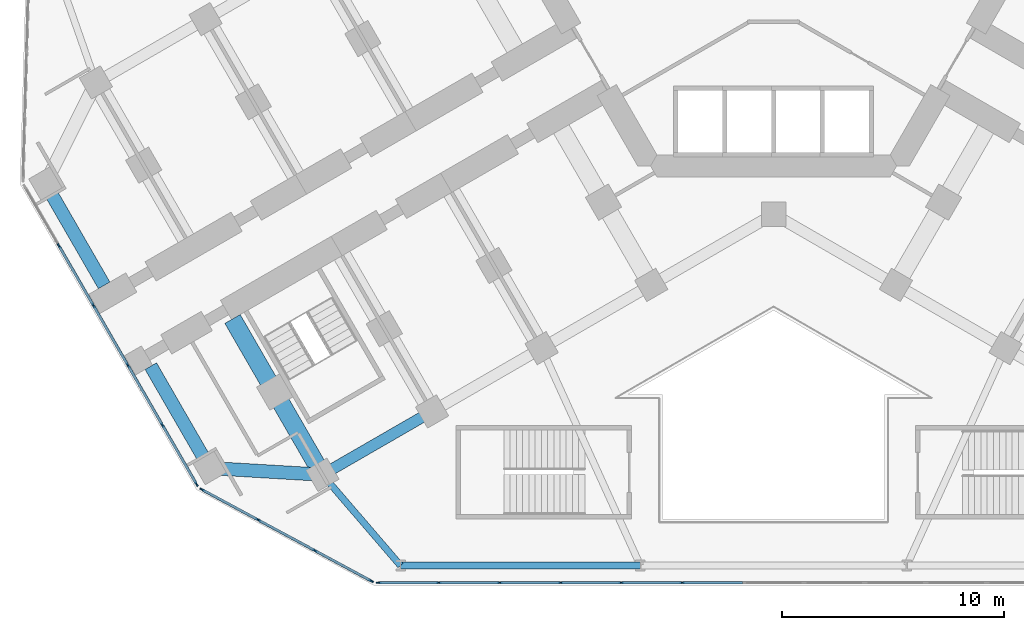
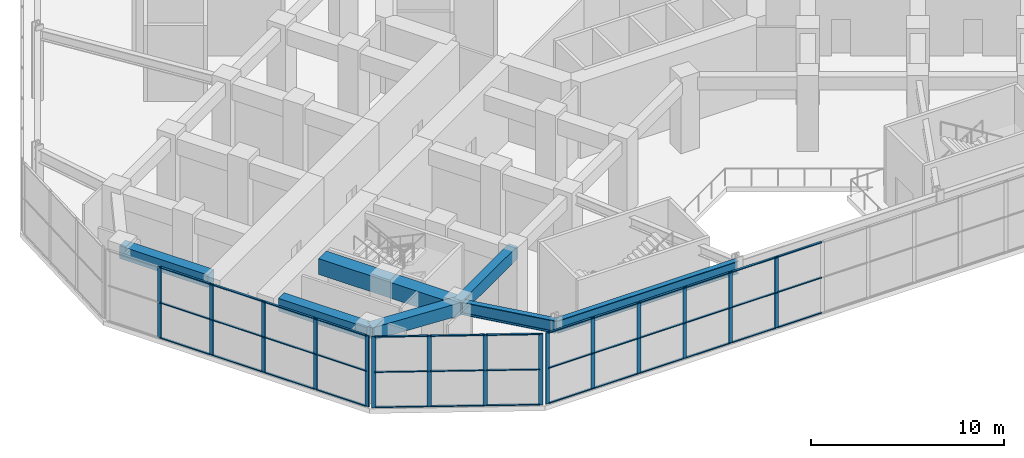
# One storey, part 2 of 21: 54 members, 7 beams, 3 elements without a shape of their own.
"""IFC4 building model written with IfcOpenShell, lengths in metres."""

from ifc_helpers import new_model, si_unit, direction, frame, origin, origin_2d, place, context, subcontext, project, spatial, rectangle, i_section, extrude, material, material_profile, profile_set, type_object, element, aggregate, save


model = new_model("IFC4")

# Units and contexts
model_context = context("Model", 3, precision=1e-05, world=origin(), true_north=direction((0.0, 1.0)))
body_context = subcontext(model_context, "Body", "Model", "MODEL_VIEW")
ifc_project = project(units=[si_unit("LENGTHUNIT", "METRE"), si_unit("AREAUNIT", "SQUARE_METRE"), si_unit("VOLUMEUNIT", "CUBIC_METRE"), si_unit("PLANEANGLEUNIT", "RADIAN"), si_unit("MASSUNIT", "GRAM", prefix="KILO")], contexts=[model_context])

# Site, building, storey
site_placement = place(None, origin())
site = spatial("IfcSite", under=ifc_project, at=site_placement, CompositionType="ELEMENT")
building_placement = place(site_placement, origin())
building = spatial("IfcBuilding", under=site, at=building_placement, Name="Kosmar Iwan School Tower", CompositionType="ELEMENT")
storey_placement = place(building_placement, frame((0.0, 0.0, 6.0)))
storey = spatial("IfcBuildingStorey", under=building, at=storey_placement, Name="L01", CompositionType="ELEMENT", Elevation=6.0)

# Beams
ifc_material_1 = material(Name="Steel S355", Category="steel")
ifc_material_profile_1 = material_profile(ifc_material_1, i_section(OverallWidth=0.300048828125, OverallDepth=0.800048828125, WebThickness=0.017578125, FlangeThickness=0.032958984375, FilletRadius=0.030029296875, at=origin_2d()), Name="HE 800 B")
ifc_profile_set_1 = profile_set([ifc_material_profile_1], Name="Steel S355")
beam_type_1 = type_object("IfcBeamType", Name="Infill edge beam HE 800 B", PredefinedType="BEAM", material=ifc_profile_set_1)
beam_1_placement = place(storey_placement, frame((-6.0, -27.60009765625, 4.10009765625), z_axis=(-1.0, 0.0, 0.0), x_axis=(0.0, -1.0, 0.0)))
element("IfcBeam", 1, at=beam_1_placement, inside=storey, type_object=beam_type_1, Name="Infill edge beam BC4", PredefinedType="BEAM", context=body_context, shape_type="SweptSolid", body=[
    extrude(i_section(OverallWidth=0.300048828125, OverallDepth=0.800048828125, WebThickness=0.017578125, FlangeThickness=0.032958984375, FilletRadius=0.030029296875, at=origin_2d()), origin(), (0.0, 0.0, 1.0), 10.800048828125),
])
beam_2_placement = place(storey_placement, frame((-16.800048828125, -27.60009765625, 4.10009765625), z_axis=(-0.651941989341, 0.758268845816, 0.0), x_axis=(-0.758268845816, -0.651941989341, 0.0)))
element("IfcBeam", 2, at=beam_2_placement, inside=storey, type_object=beam_type_1, Name="Infill edge beam BC5", PredefinedType="BEAM", context=body_context, shape_type="SweptSolid", body=[
    extrude(i_section(OverallWidth=0.300048828125, OverallDepth=0.800048828125, WebThickness=0.017578125, FlangeThickness=0.032958984375, FilletRadius=0.030029296875, at=origin_2d()), origin(), (0.0, 0.0, 1.0), 5.39599609375),
])

# Curtain wall, members
ifc_material_2 = material(Name="Dark glass in black aluminium frame", Category="aluminium")
curtain_wall_type_1 = type_object("IfcCurtainWallType", Name="Podium curtain wall", PredefinedType="USERDEFINED", material=ifc_material_2)
curtain_wall_1_placement = place(storey_placement, origin())
curtain_wall_1 = element("IfcCurtainWall", 3, at=curtain_wall_1_placement, inside=storey, type_object=curtain_wall_type_1, Name="Curtain wall L01-F00", ObjectType="STICK CURTAIN WALL", PredefinedType="USERDEFINED")
ifc_material_3 = material(Name="Black anodised aluminium", Category="aluminium")
ifc_material_profile_2 = material_profile(ifc_material_3, rectangle(XDim=0.06494140625, YDim=0.219970703125, at=origin_2d()), Name="MULLION 65x220")
ifc_profile_set_2 = profile_set([ifc_material_profile_2], Name="Black anodised aluminium")
member_type_1 = type_object("IfcMemberType", Name="Podium mullion 65x220", PredefinedType="MULLION", material=ifc_profile_set_2)
member_1_placement = place(storey_placement, frame((-17.785888671875, -28.375, 0.0), z_axis=(0.0, 0.0, 1.0), x_axis=(0.0, 1.0, 0.0)))
member_1 = element("IfcMember", 4, at=member_1_placement, type_object=member_type_1, Name="CW3 mullion 1", PredefinedType="MULLION", context=body_context, shape_type="SweptSolid", body=[
    extrude(rectangle(XDim=0.06494140625, YDim=0.219970703125, at=origin_2d()), origin(), (0.0, 0.0, 1.0), 4.5),
])
member_2_placement = place(storey_placement, frame((-15.0771484375, -28.375, 0.0), z_axis=(0.0, 0.0, 1.0), x_axis=(0.0, 1.0, 0.0)))
member_2 = element("IfcMember", 5, at=member_2_placement, type_object=member_type_1, Name="CW3 mullion 2", PredefinedType="MULLION", context=body_context, shape_type="SweptSolid", body=[
    extrude(rectangle(XDim=0.06494140625, YDim=0.219970703125, at=origin_2d()), origin(), (0.0, 0.0, 1.0), 4.5),
])
member_3_placement = place(storey_placement, frame((-12.3359375, -28.375, 0.0), z_axis=(0.0, 0.0, 1.0), x_axis=(0.0, 1.0, 0.0)))
member_3 = element("IfcMember", 6, at=member_3_placement, type_object=member_type_1, Name="CW3 mullion 3", PredefinedType="MULLION", context=body_context, shape_type="SweptSolid", body=[
    extrude(rectangle(XDim=0.06494140625, YDim=0.219970703125, at=origin_2d()), origin(), (0.0, 0.0, 1.0), 4.5),
])
member_4_placement = place(storey_placement, frame((-9.594482421875, -28.375, 0.0), z_axis=(0.0, 0.0, 1.0), x_axis=(0.0, 1.0, 0.0)))
member_4 = element("IfcMember", 7, at=member_4_placement, type_object=member_type_1, Name="CW3 mullion 4", PredefinedType="MULLION", context=body_context, shape_type="SweptSolid", body=[
    extrude(rectangle(XDim=0.06494140625, YDim=0.219970703125, at=origin_2d()), origin(), (0.0, 0.0, 1.0), 4.5),
])
member_5_placement = place(storey_placement, frame((-6.853271484375, -28.375, 0.0), z_axis=(0.0, 0.0, 1.0), x_axis=(0.0, 1.0, 0.0)))
member_5 = element("IfcMember", 8, at=member_5_placement, type_object=member_type_1, Name="CW3 mullion 5", PredefinedType="MULLION", context=body_context, shape_type="SweptSolid", body=[
    extrude(rectangle(XDim=0.06494140625, YDim=0.219970703125, at=origin_2d()), origin(), (0.0, 0.0, 1.0), 4.5),
])
member_6_placement = place(storey_placement, frame((-4.112060546875, -28.375, 0.0), z_axis=(0.0, 0.0, 1.0), x_axis=(0.0, 1.0, 0.0)))
member_6 = element("IfcMember", 9, at=member_6_placement, type_object=member_type_1, Name="CW3 mullion 6", PredefinedType="MULLION", context=body_context, shape_type="SweptSolid", body=[
    extrude(rectangle(XDim=0.06494140625, YDim=0.219970703125, at=origin_2d()), origin(), (0.0, 0.0, 1.0), 4.5),
])

ifc_material_4 = material(Name="Dark glass in black aluminium frame", Category="aluminium")
curtain_wall_type_2 = type_object("IfcCurtainWallType", Name="Tower curtain wall dark glass", PredefinedType="USERDEFINED", material=ifc_material_4)
curtain_wall_2_placement = place(storey_placement, origin())
curtain_wall_2 = element("IfcCurtainWall", 10, at=curtain_wall_2_placement, inside=storey, type_object=curtain_wall_type_2, Name="Curtain wall L01-F10", ObjectType="UNITISED CURTAIN WALL", PredefinedType="USERDEFINED")
member_7_placement = place(storey_placement, frame((-32.185546875, -13.202880859375, 0.0), z_axis=(0.0, 0.0, 1.0), x_axis=(0.866025395669, 0.500000014057, 0.0)))
member_7 = element("IfcMember", 11, at=member_7_placement, type_object=member_type_1, Name="CW1 mullion 2", PredefinedType="MULLION", context=body_context, shape_type="SweptSolid", body=[
    extrude(rectangle(XDim=0.06494140625, YDim=0.219970703125, at=origin_2d()), origin(), (0.0, 0.0, 1.0), 4.5),
])
member_8_placement = place(storey_placement, frame((-30.632568359375, -15.892578125, 0.0), z_axis=(0.0, 0.0, 1.0), x_axis=(0.866025395669, 0.500000014057, 0.0)))
member_8 = element("IfcMember", 12, at=member_8_placement, type_object=member_type_1, Name="CW1 mullion 3", PredefinedType="MULLION", context=body_context, shape_type="SweptSolid", body=[
    extrude(rectangle(XDim=0.06494140625, YDim=0.219970703125, at=origin_2d()), origin(), (0.0, 0.0, 1.0), 4.5),
])
member_9_placement = place(storey_placement, frame((-29.079833984375, -18.582275390625, 0.0), z_axis=(0.0, 0.0, 1.0), x_axis=(0.866025395669, 0.500000014057, 0.0)))
member_9 = element("IfcMember", 13, at=member_9_placement, type_object=member_type_1, Name="CW1 mullion 4", PredefinedType="MULLION", context=body_context, shape_type="SweptSolid", body=[
    extrude(rectangle(XDim=0.06494140625, YDim=0.219970703125, at=origin_2d()), origin(), (0.0, 0.0, 1.0), 4.5),
])
member_10_placement = place(storey_placement, frame((-27.52685546875, -21.272216796875, 0.0), z_axis=(0.0, 0.0, 1.0), x_axis=(0.866025395669, 0.500000014057, 0.0)))
member_10 = element("IfcMember", 14, at=member_10_placement, type_object=member_type_1, Name="CW1 mullion 5", PredefinedType="MULLION", context=body_context, shape_type="SweptSolid", body=[
    extrude(rectangle(XDim=0.06494140625, YDim=0.219970703125, at=origin_2d()), origin(), (0.0, 0.0, 1.0), 4.5),
])
member_11_placement = place(storey_placement, frame((-25.990234375, -23.93359375, 0.0), z_axis=(0.0, 0.0, 1.0), x_axis=(0.866025395669, 0.500000014057, 0.0)))
member_11 = element("IfcMember", 15, at=member_11_placement, type_object=member_type_1, Name="CW1 mullion 6", PredefinedType="MULLION", context=body_context, shape_type="SweptSolid", body=[
    extrude(rectangle(XDim=0.06494140625, YDim=0.219970703125, at=origin_2d()), origin(), (0.0, 0.0, 1.0), 4.5),
])

curtain_wall_3_placement = place(storey_placement, origin())
curtain_wall_3 = element("IfcCurtainWall", 16, at=curtain_wall_3_placement, inside=storey, type_object=curtain_wall_type_1, Name="Curtain wall L01-F11", ObjectType="STICK CURTAIN WALL", PredefinedType="USERDEFINED")
member_12_placement = place(storey_placement, frame((-25.73828125, -24.178466796875, 0.0), z_axis=(0.0, 0.0, 1.0), x_axis=(0.475215410051, 0.879869486941, 0.0)))
member_12 = element("IfcMember", 17, at=member_12_placement, type_object=member_type_1, Name="CW3 mullion 1", PredefinedType="MULLION", context=body_context, shape_type="SweptSolid", body=[
    extrude(rectangle(XDim=0.06494140625, YDim=0.219970703125, at=origin_2d()), origin(), (0.0, 0.0, 1.0), 4.5),
])
member_13_placement = place(storey_placement, frame((-23.21142578125, -25.543212890625, 0.0), z_axis=(0.0, 0.0, 1.0), x_axis=(0.475215410051, 0.879869486941, 0.0)))
member_13 = element("IfcMember", 18, at=member_13_placement, type_object=member_type_1, Name="CW3 mullion 2", PredefinedType="MULLION", context=body_context, shape_type="SweptSolid", body=[
    extrude(rectangle(XDim=0.06494140625, YDim=0.219970703125, at=origin_2d()), origin(), (0.0, 0.0, 1.0), 4.5),
])
member_14_placement = place(storey_placement, frame((-20.656005859375, -26.923583984375, 0.0), z_axis=(0.0, 0.0, 1.0), x_axis=(0.475215410051, 0.879869486941, 0.0)))
member_14 = element("IfcMember", 19, at=member_14_placement, type_object=member_type_1, Name="CW3 mullion 3", PredefinedType="MULLION", context=body_context, shape_type="SweptSolid", body=[
    extrude(rectangle(XDim=0.06494140625, YDim=0.219970703125, at=origin_2d()), origin(), (0.0, 0.0, 1.0), 4.5),
])
member_15_placement = place(storey_placement, frame((-18.12890625, -28.288330078125, 0.0), z_axis=(0.0, 0.0, 1.0), x_axis=(0.475215410051, 0.879869486941, 0.0)))
member_15 = element("IfcMember", 20, at=member_15_placement, type_object=member_type_1, Name="CW3 mullion 4", PredefinedType="MULLION", context=body_context, shape_type="SweptSolid", body=[
    extrude(rectangle(XDim=0.06494140625, YDim=0.219970703125, at=origin_2d()), origin(), (0.0, 0.0, 1.0), 4.5),
])

# Beams
ifc_material_5 = material(Name="Concrete C50/60", Category="concrete")
ifc_material_profile_3 = material_profile(ifc_material_5, rectangle(XDim=0.5, YDim=0.800048828125, at=origin_2d()), Name="RC 500x800")
ifc_profile_set_3 = profile_set([ifc_material_profile_3], Name="Concrete C50/60")
beam_type_2 = type_object("IfcBeamType", Name="RC edge beam 500x800", PredefinedType="BEAM", material=ifc_profile_set_3)
beam_3_placement = place(storey_placement, frame((-15.381591796875, -20.658447265625, 4.10009765625), z_axis=(-0.866015111908, -0.50001782563, 0.0), x_axis=(0.50001782563, -0.866015111908, 0.0)))
element("IfcBeam", 21, at=beam_3_placement, inside=storey, type_object=beam_type_2, Name="Edge beam BL4", PredefinedType="BEAM", context=body_context, shape_type="SweptSolid", body=[
    extrude(rectangle(XDim=0.5, YDim=0.800048828125, at=origin_2d()), origin(), (0.0, 0.0, 1.0), 5.699951171875),
])
ifc_material_6 = material(Name="Concrete C50/60", Category="concrete")
ifc_material_profile_4 = material_profile(ifc_material_6, rectangle(XDim=0.60009765625, YDim=0.800048828125, at=origin_2d()), Name="RC 600x800")
ifc_profile_set_4 = profile_set([ifc_material_profile_4], Name="Concrete C50/60")
beam_type_3 = type_object("IfcBeamType", Name="RC tip beam 600x800", PredefinedType="BEAM", material=ifc_profile_set_4)
beam_4_placement = place(storey_placement, frame((-20.31787109375, -23.508544921875, 4.10009765625), z_axis=(-0.998260616478, 0.058955420358, 0.0), x_axis=(-0.058955420358, -0.998260616478, 0.0)))
element("IfcBeam", 22, at=beam_4_placement, inside=storey, type_object=beam_type_3, Name="Tip beam BL", PredefinedType="BEAM", context=body_context, shape_type="SweptSolid", body=[
    extrude(rectangle(XDim=0.60009765625, YDim=0.800048828125, at=origin_2d()), origin(), (0.0, 0.0, 1.0), 5.08935546875),
])
beam_5_placement = place(storey_placement, frame((-25.3984375, -23.20849609375, 4.10009765625), z_axis=(-0.499993606316, 0.866029095148, 0.0), x_axis=(-0.866029095148, -0.499993606316, 0.0)))
element("IfcBeam", 23, at=beam_5_placement, inside=storey, type_object=beam_type_3, Name="Tip beam BL to corridor wall", PredefinedType="BEAM", context=body_context, shape_type="SweptSolid", body=[
    extrude(rectangle(XDim=0.60009765625, YDim=0.800048828125, at=origin_2d()), origin(), (0.0, 0.0, 1.0), 5.2998046875),
])
beam_6_placement = place(storey_placement, frame((-32.79833984375, -10.391357421875, 4.10009765625), z_axis=(0.499973660256, -0.866040610509, 0.0), x_axis=(0.866040610509, 0.499973660256, 0.0)))
element("IfcBeam", 24, at=beam_6_placement, inside=storey, type_object=beam_type_3, Name="Tip beam BR to corridor wall", PredefinedType="BEAM", context=body_context, shape_type="SweptSolid", body=[
    extrude(rectangle(XDim=0.60009765625, YDim=0.800048828125, at=origin_2d()), origin(), (0.0, 0.0, 1.0), 5.300048828125),
])
ifc_material_7 = material(Name="Concrete C50/60", Category="concrete")
ifc_material_profile_5 = material_profile(ifc_material_7, rectangle(XDim=0.800048828125, YDim=1.0, at=origin_2d()), Name="RC 800x1000")
ifc_profile_set_5 = profile_set([ifc_material_profile_5], Name="Concrete C50/60")
beam_type_4 = type_object("IfcBeamType", Name="RC transverse beam 800x1000", PredefinedType="BEAM", material=ifc_profile_set_5)
beam_7_placement = place(storey_placement, frame((-20.31787109375, -23.508544921875, 4.0), z_axis=(-0.499999880539, 0.866025472755, 0.0), x_axis=(-0.866025472755, -0.499999880539, 0.0)))
element("IfcBeam", 25, at=beam_7_placement, inside=storey, type_object=beam_type_4, Name="Transverse beam BL4", PredefinedType="BEAM", context=body_context, shape_type="SweptSolid", body=[
    extrude(rectangle(XDim=0.800048828125, YDim=1.0, at=origin_2d()), origin(), (0.0, 0.0, 1.0), 8.10009765625),
])

# Member
ifc_material_8 = material(Name="Black anodised aluminium", Category="aluminium")
ifc_material_profile_6 = material_profile(ifc_material_8, rectangle(XDim=0.1201171875, YDim=0.06005859375, at=origin_2d()), Name="TRANSOM 60x120")
ifc_profile_set_6 = profile_set([ifc_material_profile_6], Name="Black anodised aluminium")
member_type_2 = type_object("IfcMemberType", Name="Transom 60x120", PredefinedType="USERDEFINED", material=ifc_profile_set_6)
member_16_placement = place(storey_placement, frame((-17.75341796875, -28.375, 0.030029296875), z_axis=(1.0, 0.0, 0.0), x_axis=(0.0, 1.0, 0.0)))
member_16 = element("IfcMember", 26, at=member_16_placement, type_object=member_type_2, Name="CW3 transom 1.1", ObjectType="TRANSOM", PredefinedType="USERDEFINED", context=body_context, shape_type="SweptSolid", body=[
    extrude(rectangle(XDim=0.1201171875, YDim=0.06005859375, at=origin_2d()), origin(), (0.0, 0.0, 1.0), 2.643798828125),
])

member_17_placement = place(storey_placement, frame((-17.75341796875, -28.375, 2.25), z_axis=(1.0, 0.0, 0.0), x_axis=(0.0, 1.0, 0.0)))
member_17 = element("IfcMember", 27, at=member_17_placement, type_object=member_type_2, Name="CW3 transom 1.2", ObjectType="TRANSOM", PredefinedType="USERDEFINED", context=body_context, shape_type="SweptSolid", body=[
    extrude(rectangle(XDim=0.1201171875, YDim=0.06005859375, at=origin_2d()), origin(), (0.0, 0.0, 1.0), 2.643798828125),
])

member_18_placement = place(storey_placement, frame((-17.75341796875, -28.375, 4.469970703125), z_axis=(1.0, 0.0, 0.0), x_axis=(0.0, 1.0, 0.0)))
member_18 = element("IfcMember", 28, at=member_18_placement, type_object=member_type_2, Name="CW3 transom 1.3", ObjectType="TRANSOM", PredefinedType="USERDEFINED", context=body_context, shape_type="SweptSolid", body=[
    extrude(rectangle(XDim=0.1201171875, YDim=0.06005859375, at=origin_2d()), origin(), (0.0, 0.0, 1.0), 2.643798828125),
])

member_19_placement = place(storey_placement, frame((-15.044677734375, -28.375, 0.030029296875), z_axis=(1.0, 0.0, 0.0), x_axis=(0.0, 1.0, 0.0)))
member_19 = element("IfcMember", 29, at=member_19_placement, type_object=member_type_2, Name="CW3 transom 2.1", ObjectType="TRANSOM", PredefinedType="USERDEFINED", context=body_context, shape_type="SweptSolid", body=[
    extrude(rectangle(XDim=0.1201171875, YDim=0.06005859375, at=origin_2d()), origin(), (0.0, 0.0, 1.0), 2.67626953125),
])

member_20_placement = place(storey_placement, frame((-15.044677734375, -28.375, 2.25), z_axis=(1.0, 0.0, 0.0), x_axis=(0.0, 1.0, 0.0)))
member_20 = element("IfcMember", 30, at=member_20_placement, type_object=member_type_2, Name="CW3 transom 2.2", ObjectType="TRANSOM", PredefinedType="USERDEFINED", context=body_context, shape_type="SweptSolid", body=[
    extrude(rectangle(XDim=0.1201171875, YDim=0.06005859375, at=origin_2d()), origin(), (0.0, 0.0, 1.0), 2.67626953125),
])

member_21_placement = place(storey_placement, frame((-15.044677734375, -28.375, 4.469970703125), z_axis=(1.0, 0.0, 0.0), x_axis=(0.0, 1.0, 0.0)))
member_21 = element("IfcMember", 31, at=member_21_placement, type_object=member_type_2, Name="CW3 transom 2.3", ObjectType="TRANSOM", PredefinedType="USERDEFINED", context=body_context, shape_type="SweptSolid", body=[
    extrude(rectangle(XDim=0.1201171875, YDim=0.06005859375, at=origin_2d()), origin(), (0.0, 0.0, 1.0), 2.67626953125),
])

member_22_placement = place(storey_placement, frame((-12.30322265625, -28.375, 0.030029296875), z_axis=(1.0, 0.0, 0.0), x_axis=(0.0, 1.0, 0.0)))
member_22 = element("IfcMember", 32, at=member_22_placement, type_object=member_type_2, Name="CW3 transom 3.1", ObjectType="TRANSOM", PredefinedType="USERDEFINED", context=body_context, shape_type="SweptSolid", body=[
    extrude(rectangle(XDim=0.1201171875, YDim=0.06005859375, at=origin_2d()), origin(), (0.0, 0.0, 1.0), 2.67626953125),
])

member_23_placement = place(storey_placement, frame((-12.30322265625, -28.375, 2.25), z_axis=(1.0, 0.0, 0.0), x_axis=(0.0, 1.0, 0.0)))
member_23 = element("IfcMember", 33, at=member_23_placement, type_object=member_type_2, Name="CW3 transom 3.2", ObjectType="TRANSOM", PredefinedType="USERDEFINED", context=body_context, shape_type="SweptSolid", body=[
    extrude(rectangle(XDim=0.1201171875, YDim=0.06005859375, at=origin_2d()), origin(), (0.0, 0.0, 1.0), 2.67626953125),
])

member_24_placement = place(storey_placement, frame((-12.30322265625, -28.375, 4.469970703125), z_axis=(1.0, 0.0, 0.0), x_axis=(0.0, 1.0, 0.0)))
member_24 = element("IfcMember", 34, at=member_24_placement, type_object=member_type_2, Name="CW3 transom 3.3", ObjectType="TRANSOM", PredefinedType="USERDEFINED", context=body_context, shape_type="SweptSolid", body=[
    extrude(rectangle(XDim=0.1201171875, YDim=0.06005859375, at=origin_2d()), origin(), (0.0, 0.0, 1.0), 2.67626953125),
])

member_25_placement = place(storey_placement, frame((-9.56201171875, -28.375, 0.030029296875), z_axis=(1.0, 0.0, 0.0), x_axis=(0.0, 1.0, 0.0)))
member_25 = element("IfcMember", 35, at=member_25_placement, type_object=member_type_2, Name="CW3 transom 4.1", ObjectType="TRANSOM", PredefinedType="USERDEFINED", context=body_context, shape_type="SweptSolid", body=[
    extrude(rectangle(XDim=0.1201171875, YDim=0.06005859375, at=origin_2d()), origin(), (0.0, 0.0, 1.0), 2.67626953125),
])

member_26_placement = place(storey_placement, frame((-9.56201171875, -28.375, 2.25), z_axis=(1.0, 0.0, 0.0), x_axis=(0.0, 1.0, 0.0)))
member_26 = element("IfcMember", 36, at=member_26_placement, type_object=member_type_2, Name="CW3 transom 4.2", ObjectType="TRANSOM", PredefinedType="USERDEFINED", context=body_context, shape_type="SweptSolid", body=[
    extrude(rectangle(XDim=0.1201171875, YDim=0.06005859375, at=origin_2d()), origin(), (0.0, 0.0, 1.0), 2.67626953125),
])

member_27_placement = place(storey_placement, frame((-9.56201171875, -28.375, 4.469970703125), z_axis=(1.0, 0.0, 0.0), x_axis=(0.0, 1.0, 0.0)))
member_27 = element("IfcMember", 37, at=member_27_placement, type_object=member_type_2, Name="CW3 transom 4.3", ObjectType="TRANSOM", PredefinedType="USERDEFINED", context=body_context, shape_type="SweptSolid", body=[
    extrude(rectangle(XDim=0.1201171875, YDim=0.06005859375, at=origin_2d()), origin(), (0.0, 0.0, 1.0), 2.67626953125),
])

member_28_placement = place(storey_placement, frame((-6.82080078125, -28.375, 0.030029296875), z_axis=(1.0, 0.0, 0.0), x_axis=(0.0, 1.0, 0.0)))
member_28 = element("IfcMember", 38, at=member_28_placement, type_object=member_type_2, Name="CW3 transom 5.1", ObjectType="TRANSOM", PredefinedType="USERDEFINED", context=body_context, shape_type="SweptSolid", body=[
    extrude(rectangle(XDim=0.1201171875, YDim=0.06005859375, at=origin_2d()), origin(), (0.0, 0.0, 1.0), 2.67626953125),
])

member_29_placement = place(storey_placement, frame((-6.82080078125, -28.375, 2.25), z_axis=(1.0, 0.0, 0.0), x_axis=(0.0, 1.0, 0.0)))
member_29 = element("IfcMember", 39, at=member_29_placement, type_object=member_type_2, Name="CW3 transom 5.2", ObjectType="TRANSOM", PredefinedType="USERDEFINED", context=body_context, shape_type="SweptSolid", body=[
    extrude(rectangle(XDim=0.1201171875, YDim=0.06005859375, at=origin_2d()), origin(), (0.0, 0.0, 1.0), 2.67626953125),
])

member_30_placement = place(storey_placement, frame((-6.82080078125, -28.375, 4.469970703125), z_axis=(1.0, 0.0, 0.0), x_axis=(0.0, 1.0, 0.0)))
member_30 = element("IfcMember", 40, at=member_30_placement, type_object=member_type_2, Name="CW3 transom 5.3", ObjectType="TRANSOM", PredefinedType="USERDEFINED", context=body_context, shape_type="SweptSolid", body=[
    extrude(rectangle(XDim=0.1201171875, YDim=0.06005859375, at=origin_2d()), origin(), (0.0, 0.0, 1.0), 2.67626953125),
])

member_31_placement = place(storey_placement, frame((-4.079345703125, -28.375, 0.030029296875), z_axis=(1.0, 0.0, 0.0), x_axis=(0.0, 1.0, 0.0)))
member_31 = element("IfcMember", 41, at=member_31_placement, type_object=member_type_2, Name="CW3 transom 6.1", ObjectType="TRANSOM", PredefinedType="USERDEFINED", context=body_context, shape_type="SweptSolid", body=[
    extrude(rectangle(XDim=0.1201171875, YDim=0.06005859375, at=origin_2d()), origin(), (0.0, 0.0, 1.0), 2.67626953125),
])

member_32_placement = place(storey_placement, frame((-4.079345703125, -28.375, 2.25), z_axis=(1.0, 0.0, 0.0), x_axis=(0.0, 1.0, 0.0)))
member_32 = element("IfcMember", 42, at=member_32_placement, type_object=member_type_2, Name="CW3 transom 6.2", ObjectType="TRANSOM", PredefinedType="USERDEFINED", context=body_context, shape_type="SweptSolid", body=[
    extrude(rectangle(XDim=0.1201171875, YDim=0.06005859375, at=origin_2d()), origin(), (0.0, 0.0, 1.0), 2.67626953125),
])

member_33_placement = place(storey_placement, frame((-4.079345703125, -28.375, 4.469970703125), z_axis=(1.0, 0.0, 0.0), x_axis=(0.0, 1.0, 0.0)))
member_33 = element("IfcMember", 43, at=member_33_placement, type_object=member_type_2, Name="CW3 transom 6.3", ObjectType="TRANSOM", PredefinedType="USERDEFINED", context=body_context, shape_type="SweptSolid", body=[
    extrude(rectangle(XDim=0.1201171875, YDim=0.06005859375, at=origin_2d()), origin(), (0.0, 0.0, 1.0), 2.67626953125),
])

aggregate(curtain_wall_1, [member_1, member_2, member_3, member_4, member_5, member_6, member_16, member_17, member_18, member_19, member_20, member_21, member_22, member_23, member_24, member_25, member_26, member_27, member_28, member_29, member_30, member_31, member_32, member_33])

member_34_placement = place(storey_placement, frame((-32.16943359375, -13.23095703125, 0.030029296875), z_axis=(0.50000738486, -0.866021140091, 0.0), x_axis=(0.866021140091, 0.50000738486, 0.0)))
member_34 = element("IfcMember", 44, at=member_34_placement, type_object=member_type_2, Name="CW1 transom 2.1", ObjectType="TRANSOM", PredefinedType="USERDEFINED", context=body_context, shape_type="SweptSolid", body=[
    extrude(rectangle(XDim=0.1201171875, YDim=0.06005859375, at=origin_2d()), origin(), (0.0, 0.0, 1.0), 3.041015625),
])

member_35_placement = place(storey_placement, frame((-32.16943359375, -13.23095703125, 2.25), z_axis=(0.50000738486, -0.866021140091, 0.0), x_axis=(0.866021140091, 0.50000738486, 0.0)))
member_35 = element("IfcMember", 45, at=member_35_placement, type_object=member_type_2, Name="CW1 transom 2.2", ObjectType="TRANSOM", PredefinedType="USERDEFINED", context=body_context, shape_type="SweptSolid", body=[
    extrude(rectangle(XDim=0.1201171875, YDim=0.06005859375, at=origin_2d()), origin(), (0.0, 0.0, 1.0), 3.041015625),
])

member_36_placement = place(storey_placement, frame((-32.16943359375, -13.23095703125, 4.469970703125), z_axis=(0.50000738486, -0.866021140091, 0.0), x_axis=(0.866021140091, 0.50000738486, 0.0)))
member_36 = element("IfcMember", 46, at=member_36_placement, type_object=member_type_2, Name="CW1 transom 2.3", ObjectType="TRANSOM", PredefinedType="USERDEFINED", context=body_context, shape_type="SweptSolid", body=[
    extrude(rectangle(XDim=0.1201171875, YDim=0.06005859375, at=origin_2d()), origin(), (0.0, 0.0, 1.0), 3.041015625),
])

member_37_placement = place(storey_placement, frame((-30.616455078125, -15.9208984375, 0.030029296875), z_axis=(0.500042151114, -0.86600106646, 0.0), x_axis=(0.86600106646, 0.500042151114, 0.0)))
member_37 = element("IfcMember", 47, at=member_37_placement, type_object=member_type_2, Name="CW1 transom 3.1", ObjectType="TRANSOM", PredefinedType="USERDEFINED", context=body_context, shape_type="SweptSolid", body=[
    extrude(rectangle(XDim=0.1201171875, YDim=0.06005859375, at=origin_2d()), origin(), (0.0, 0.0, 1.0), 3.040771484375),
])

member_38_placement = place(storey_placement, frame((-30.616455078125, -15.9208984375, 2.25), z_axis=(0.500042151114, -0.86600106646, 0.0), x_axis=(0.86600106646, 0.500042151114, 0.0)))
member_38 = element("IfcMember", 48, at=member_38_placement, type_object=member_type_2, Name="CW1 transom 3.2", ObjectType="TRANSOM", PredefinedType="USERDEFINED", context=body_context, shape_type="SweptSolid", body=[
    extrude(rectangle(XDim=0.1201171875, YDim=0.06005859375, at=origin_2d()), origin(), (0.0, 0.0, 1.0), 3.040771484375),
])

member_39_placement = place(storey_placement, frame((-30.616455078125, -15.9208984375, 4.469970703125), z_axis=(0.500042151114, -0.86600106646, 0.0), x_axis=(0.86600106646, 0.500042151114, 0.0)))
member_39 = element("IfcMember", 49, at=member_39_placement, type_object=member_type_2, Name="CW1 transom 3.3", ObjectType="TRANSOM", PredefinedType="USERDEFINED", context=body_context, shape_type="SweptSolid", body=[
    extrude(rectangle(XDim=0.1201171875, YDim=0.06005859375, at=origin_2d()), origin(), (0.0, 0.0, 1.0), 3.040771484375),
])

member_40_placement = place(storey_placement, frame((-29.0634765625, -18.610595703125, 0.030029296875), z_axis=(0.49998193385, -0.86603583403, 0.0), x_axis=(0.86603583403, 0.49998193385, 0.0)))
member_40 = element("IfcMember", 50, at=member_40_placement, type_object=member_type_2, Name="CW1 transom 4.1", ObjectType="TRANSOM", PredefinedType="USERDEFINED", context=body_context, shape_type="SweptSolid", body=[
    extrude(rectangle(XDim=0.1201171875, YDim=0.06005859375, at=origin_2d()), origin(), (0.0, 0.0, 1.0), 3.04052734375),
])

member_41_placement = place(storey_placement, frame((-29.0634765625, -18.610595703125, 2.25), z_axis=(0.49998193385, -0.86603583403, 0.0), x_axis=(0.86603583403, 0.49998193385, 0.0)))
member_41 = element("IfcMember", 51, at=member_41_placement, type_object=member_type_2, Name="CW1 transom 4.2", ObjectType="TRANSOM", PredefinedType="USERDEFINED", context=body_context, shape_type="SweptSolid", body=[
    extrude(rectangle(XDim=0.1201171875, YDim=0.06005859375, at=origin_2d()), origin(), (0.0, 0.0, 1.0), 3.04052734375),
])

member_42_placement = place(storey_placement, frame((-29.0634765625, -18.610595703125, 4.469970703125), z_axis=(0.49998193385, -0.86603583403, 0.0), x_axis=(0.86603583403, 0.49998193385, 0.0)))
member_42 = element("IfcMember", 52, at=member_42_placement, type_object=member_type_2, Name="CW1 transom 4.3", ObjectType="TRANSOM", PredefinedType="USERDEFINED", context=body_context, shape_type="SweptSolid", body=[
    extrude(rectangle(XDim=0.1201171875, YDim=0.06005859375, at=origin_2d()), origin(), (0.0, 0.0, 1.0), 3.04052734375),
])

member_43_placement = place(storey_placement, frame((-27.510498046875, -21.30029296875, 0.030029296875), z_axis=(0.500005799286, -0.866022055539, 0.0), x_axis=(0.866022055539, 0.500005799286, 0.0)))
member_43 = element("IfcMember", 53, at=member_43_placement, type_object=member_type_2, Name="CW1 transom 5.1", ObjectType="TRANSOM", PredefinedType="USERDEFINED", context=body_context, shape_type="SweptSolid", body=[
    extrude(rectangle(XDim=0.1201171875, YDim=0.06005859375, at=origin_2d()), origin(), (0.0, 0.0, 1.0), 3.00830078125),
])

member_44_placement = place(storey_placement, frame((-27.510498046875, -21.30029296875, 2.25), z_axis=(0.500005799286, -0.866022055539, 0.0), x_axis=(0.866022055539, 0.500005799286, 0.0)))
member_44 = element("IfcMember", 54, at=member_44_placement, type_object=member_type_2, Name="CW1 transom 5.2", ObjectType="TRANSOM", PredefinedType="USERDEFINED", context=body_context, shape_type="SweptSolid", body=[
    extrude(rectangle(XDim=0.1201171875, YDim=0.06005859375, at=origin_2d()), origin(), (0.0, 0.0, 1.0), 3.00830078125),
])

member_45_placement = place(storey_placement, frame((-27.510498046875, -21.30029296875, 4.469970703125), z_axis=(0.500005799286, -0.866022055539, 0.0), x_axis=(0.866022055539, 0.500005799286, 0.0)))
member_45 = element("IfcMember", 55, at=member_45_placement, type_object=member_type_2, Name="CW1 transom 5.3", ObjectType="TRANSOM", PredefinedType="USERDEFINED", context=body_context, shape_type="SweptSolid", body=[
    extrude(rectangle(XDim=0.1201171875, YDim=0.06005859375, at=origin_2d()), origin(), (0.0, 0.0, 1.0), 3.00830078125),
])

aggregate(curtain_wall_2, [member_7, member_8, member_9, member_10, member_11, member_34, member_35, member_36, member_37, member_38, member_39, member_40, member_41, member_42, member_43, member_44, member_45])

member_46_placement = place(storey_placement, frame((-25.709716796875, -24.19384765625, 0.030029296875), z_axis=(0.879855938213, -0.475240494899, 0.0), x_axis=(0.475240494899, 0.879855938213, 0.0)))
member_46 = element("IfcMember", 56, at=member_46_placement, type_object=member_type_2, Name="CW3 transom 1.1", ObjectType="TRANSOM", PredefinedType="USERDEFINED", context=body_context, shape_type="SweptSolid", body=[
    extrude(rectangle(XDim=0.1201171875, YDim=0.06005859375, at=origin_2d()), origin(), (0.0, 0.0, 1.0), 2.806884765625),
])

member_47_placement = place(storey_placement, frame((-25.709716796875, -24.19384765625, 2.25), z_axis=(0.879855938213, -0.475240494899, 0.0), x_axis=(0.475240494899, 0.879855938213, 0.0)))
member_47 = element("IfcMember", 57, at=member_47_placement, type_object=member_type_2, Name="CW3 transom 1.2", ObjectType="TRANSOM", PredefinedType="USERDEFINED", context=body_context, shape_type="SweptSolid", body=[
    extrude(rectangle(XDim=0.1201171875, YDim=0.06005859375, at=origin_2d()), origin(), (0.0, 0.0, 1.0), 2.806884765625),
])

member_48_placement = place(storey_placement, frame((-25.709716796875, -24.19384765625, 4.469970703125), z_axis=(0.879855938213, -0.475240494899, 0.0), x_axis=(0.475240494899, 0.879855938213, 0.0)))
member_48 = element("IfcMember", 58, at=member_48_placement, type_object=member_type_2, Name="CW3 transom 1.3", ObjectType="TRANSOM", PredefinedType="USERDEFINED", context=body_context, shape_type="SweptSolid", body=[
    extrude(rectangle(XDim=0.1201171875, YDim=0.06005859375, at=origin_2d()), origin(), (0.0, 0.0, 1.0), 2.806884765625),
])

member_49_placement = place(storey_placement, frame((-23.182861328125, -25.55859375, 0.030029296875), z_axis=(0.879862975212, -0.475227466432, 0.0), x_axis=(0.475227466432, 0.879862975212, 0.0)))
member_49 = element("IfcMember", 59, at=member_49_placement, type_object=member_type_2, Name="CW3 transom 2.1", ObjectType="TRANSOM", PredefinedType="USERDEFINED", context=body_context, shape_type="SweptSolid", body=[
    extrude(rectangle(XDim=0.1201171875, YDim=0.06005859375, at=origin_2d()), origin(), (0.0, 0.0, 1.0), 2.83935546875),
])

member_50_placement = place(storey_placement, frame((-23.182861328125, -25.55859375, 2.25), z_axis=(0.879862975212, -0.475227466432, 0.0), x_axis=(0.475227466432, 0.879862975212, 0.0)))
member_50 = element("IfcMember", 60, at=member_50_placement, type_object=member_type_2, Name="CW3 transom 2.2", ObjectType="TRANSOM", PredefinedType="USERDEFINED", context=body_context, shape_type="SweptSolid", body=[
    extrude(rectangle(XDim=0.1201171875, YDim=0.06005859375, at=origin_2d()), origin(), (0.0, 0.0, 1.0), 2.83935546875),
])

member_51_placement = place(storey_placement, frame((-23.182861328125, -25.55859375, 4.469970703125), z_axis=(0.879862975212, -0.475227466432, 0.0), x_axis=(0.475227466432, 0.879862975212, 0.0)))
member_51 = element("IfcMember", 61, at=member_51_placement, type_object=member_type_2, Name="CW3 transom 2.3", ObjectType="TRANSOM", PredefinedType="USERDEFINED", context=body_context, shape_type="SweptSolid", body=[
    extrude(rectangle(XDim=0.1201171875, YDim=0.06005859375, at=origin_2d()), origin(), (0.0, 0.0, 1.0), 2.83935546875),
])

member_52_placement = place(storey_placement, frame((-20.627197265625, -26.93896484375, 0.030029296875), z_axis=(0.879855938213, -0.475240494899, 0.0), x_axis=(0.475240494899, 0.879855938213, 0.0)))
member_52 = element("IfcMember", 62, at=member_52_placement, type_object=member_type_2, Name="CW3 transom 3.1", ObjectType="TRANSOM", PredefinedType="USERDEFINED", context=body_context, shape_type="SweptSolid", body=[
    extrude(rectangle(XDim=0.1201171875, YDim=0.06005859375, at=origin_2d()), origin(), (0.0, 0.0, 1.0), 2.806884765625),
])

member_53_placement = place(storey_placement, frame((-20.627197265625, -26.93896484375, 2.25), z_axis=(0.879855938213, -0.475240494899, 0.0), x_axis=(0.475240494899, 0.879855938213, 0.0)))
member_53 = element("IfcMember", 63, at=member_53_placement, type_object=member_type_2, Name="CW3 transom 3.2", ObjectType="TRANSOM", PredefinedType="USERDEFINED", context=body_context, shape_type="SweptSolid", body=[
    extrude(rectangle(XDim=0.1201171875, YDim=0.06005859375, at=origin_2d()), origin(), (0.0, 0.0, 1.0), 2.806884765625),
])

member_54_placement = place(storey_placement, frame((-20.627197265625, -26.93896484375, 4.469970703125), z_axis=(0.879855938213, -0.475240494899, 0.0), x_axis=(0.475240494899, 0.879855938213, 0.0)))
member_54 = element("IfcMember", 64, at=member_54_placement, type_object=member_type_2, Name="CW3 transom 3.3", ObjectType="TRANSOM", PredefinedType="USERDEFINED", context=body_context, shape_type="SweptSolid", body=[
    extrude(rectangle(XDim=0.1201171875, YDim=0.06005859375, at=origin_2d()), origin(), (0.0, 0.0, 1.0), 2.806884765625),
])

aggregate(curtain_wall_3, [member_12, member_13, member_14, member_15, member_46, member_47, member_48, member_49, member_50, member_51, member_52, member_53, member_54])

save(model, "model.ifc")
